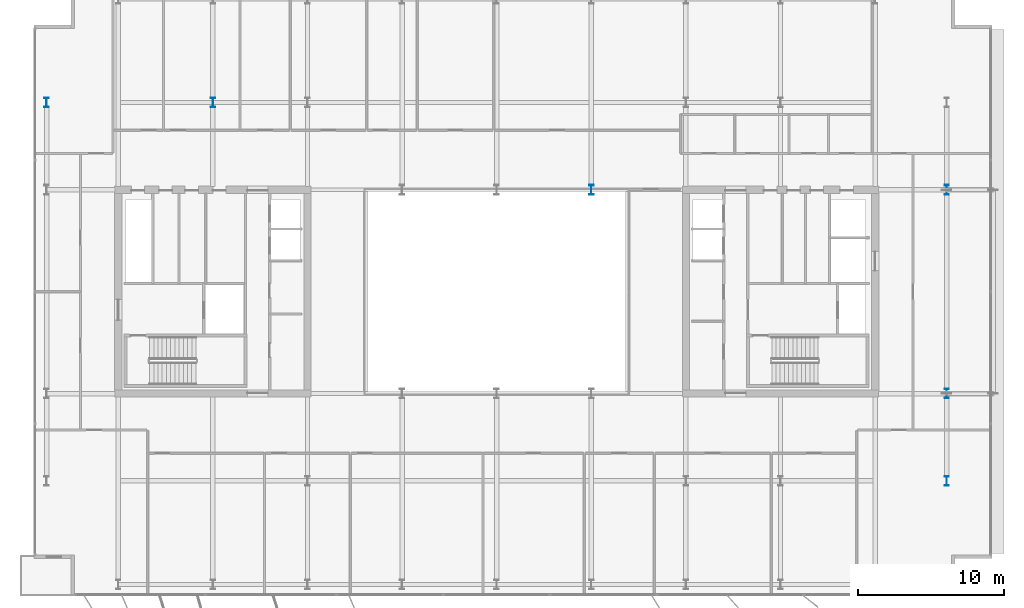
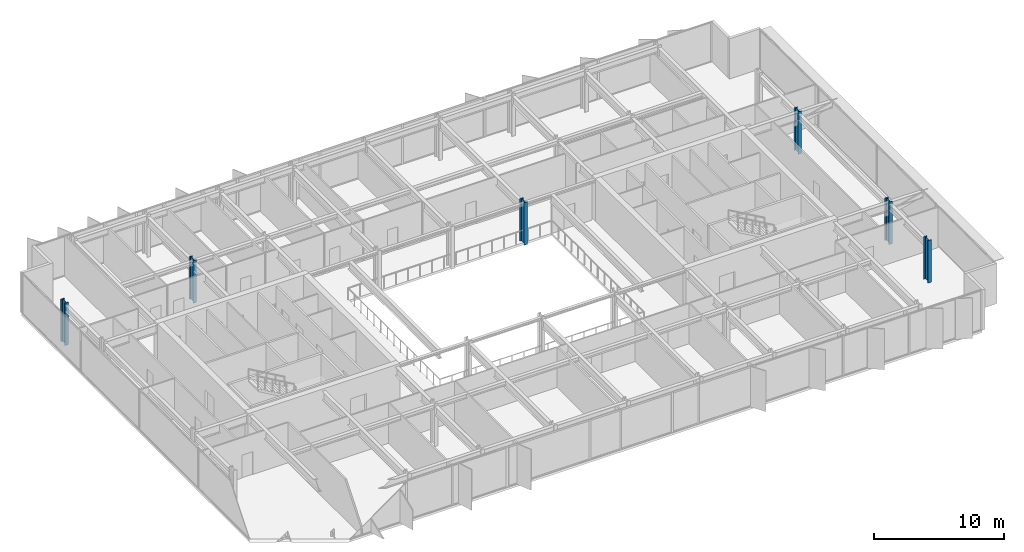
# One storey, part 2 of 20: 6 columns.
"""IFC4 building model written with IfcOpenShell, lengths in metres."""

from ifc_helpers import new_model, si_unit, direction, frame, origin, origin_2d, place, context, subcontext, project, spatial, i_section, extrude, material, material_profile, profile_set, type_object, element, save


model = new_model("IFC4")

# Units and contexts
model_context = context("Model", 3, precision=1e-05, world=origin(), true_north=direction((0.0, 1.0)))
body_context = subcontext(model_context, "Body", "Model", "MODEL_VIEW")
ifc_project = project(units=[si_unit("LENGTHUNIT", "METRE"), si_unit("AREAUNIT", "SQUARE_METRE"), si_unit("VOLUMEUNIT", "CUBIC_METRE"), si_unit("PLANEANGLEUNIT", "RADIAN"), si_unit("MASSUNIT", "GRAM", prefix="KILO")], contexts=[model_context])

# Site, building, storey
site_placement = place(None, origin())
site = spatial("IfcSite", under=ifc_project, at=site_placement, CompositionType="ELEMENT")
building_placement = place(site_placement, origin())
building = spatial("IfcBuilding", under=site, at=building_placement, Name="Putna Gate Headquarters", CompositionType="ELEMENT")
storey_placement = place(building_placement, frame((0.0, 0.0, 286.39990234375)))
storey = spatial("IfcBuildingStorey", under=building, at=storey_placement, Name="L72", CompositionType="ELEMENT", Elevation=286.39990234375)

# Columns
ifc_material = material(Name="Steel S460M", Category="steel")
ifc_material_profile_1 = material_profile(ifc_material, i_section(OverallWidth=0.304931640625, OverallDepth=0.66796875, WebThickness=0.02099609375, FlangeThickness=0.0400390625, at=origin_2d()), Name="Steel S460M")
ifc_profile_set_1 = profile_set([ifc_material_profile_1], Name="Steel S460M")
column_type_1 = type_object("IfcColumnType", Name="COL-STL-HEM650-EXT", PredefinedType="COLUMN", material=ifc_profile_set_1)
for number, where, z_axis, x_axis, name in (
    (1, (69.919921875, 13.0, 0.0), (0.0, 0.0, 1.0), (1.0, 0.0, 0.0), "L72 Column CP-E13"),
    (2, (69.919921875, 19.0, 0.0), (0.0, 0.0, 1.0), (1.0, 0.0, 0.0), "L72 Column CP-E19"),
    (3, (69.919921875, 33.0, 0.0), (0.0, 0.0, 1.0), (1.0, 0.0, 0.0), "L72 Column CP-E33"),
    (4, (8.080078125, 39.0, 0.0), (0.0, 0.0, 1.0), (1.0, 0.0, 0.0), "L72 Column CP-W39"),
):
    element("IfcColumn", number, at=place(storey_placement, frame(where, z_axis=z_axis, x_axis=x_axis)), inside=storey, type_object=column_type_1, Name=name, PredefinedType="COLUMN", context=body_context, shape_type="SweptSolid", body=[
        extrude(i_section(OverallWidth=0.304931640625, OverallDepth=0.66796875, WebThickness=0.02099609375, FlangeThickness=0.0400390625, at=origin_2d()), origin(), (0.0, 0.0, 1.0), 4.0),
    ])
ifc_material_profile_2 = material_profile(ifc_material, i_section(OverallWidth=0.304931640625, OverallDepth=0.66796875, WebThickness=0.02099609375, FlangeThickness=0.0400390625, at=origin_2d()), Name="Steel S460M")
ifc_profile_set_2 = profile_set([ifc_material_profile_2], Name="Steel S460M")
column_type_2 = type_object("IfcColumnType", Name="COL-STL-HEM650-INT", PredefinedType="COLUMN", material=ifc_profile_set_2)
for number, where, z_axis, x_axis, name in (
    (5, (19.5, 39.0, 0.0), (0.0, 0.0, 1.0), (1.0, 0.0, 0.0), "L72 Column CSI-WN"),
    (6, (45.5, 33.0, 0.0), (0.0, 0.0, 1.0), (1.0, 0.0, 0.0), "L72 Column CAI-N45"),
):
    element("IfcColumn", number, at=place(storey_placement, frame(where, z_axis=z_axis, x_axis=x_axis)), inside=storey, type_object=column_type_2, Name=name, PredefinedType="COLUMN", context=body_context, shape_type="SweptSolid", body=[
        extrude(i_section(OverallWidth=0.304931640625, OverallDepth=0.66796875, WebThickness=0.02099609375, FlangeThickness=0.0400390625, at=origin_2d()), origin(), (0.0, 0.0, 1.0), 4.0),
    ])

save(model, "model.ifc")
